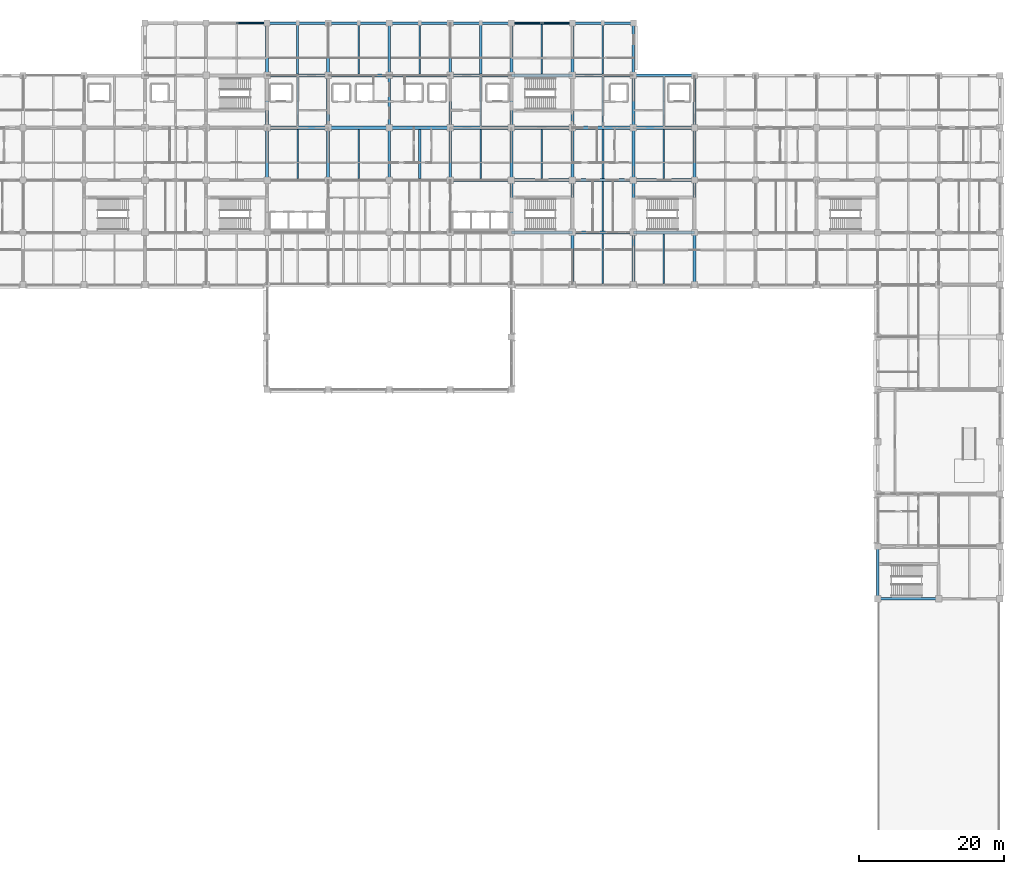
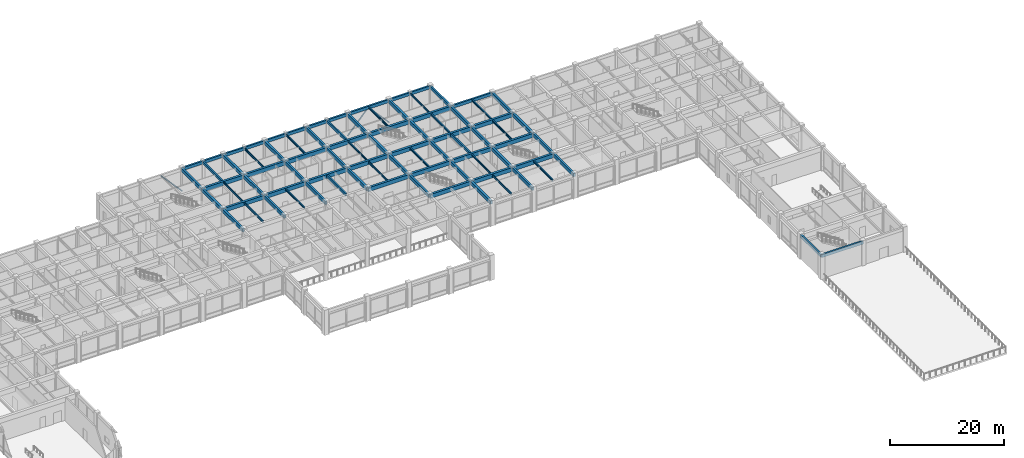
# One storey, part 10 of 51: 79 beams, 3 members.
"""IFC4 building model written with IfcOpenShell, lengths in metres."""

from ifc_helpers import new_model, si_unit, direction, frame, origin, origin_2d, place, context, subcontext, project, spatial, rectangle, hollow_circle, i_section, extrude, material, material_profile, profile_set, type_object, element, save


model = new_model("IFC4")

# Units and contexts
model_context = context("Model", 3, precision=1e-05, world=origin(), true_north=direction((0.0, 1.0)))
body_context = subcontext(model_context, "Body", "Model", "MODEL_VIEW")
ifc_project = project(units=[si_unit("LENGTHUNIT", "METRE"), si_unit("AREAUNIT", "SQUARE_METRE"), si_unit("VOLUMEUNIT", "CUBIC_METRE"), si_unit("PLANEANGLEUNIT", "RADIAN"), si_unit("MASSUNIT", "GRAM", prefix="KILO")], contexts=[model_context])

# Site, building, storey
site_placement = place(None, origin())
site = spatial("IfcSite", under=ifc_project, at=site_placement, CompositionType="ELEMENT")
building_placement = place(site_placement, origin())
building = spatial("IfcBuilding", under=site, at=building_placement, Name="Chengyuan Square Courthouse", CompositionType="ELEMENT")
storey_placement = place(building_placement, frame((0.0, 0.0, 10.800048828125)))
storey = spatial("IfcBuildingStorey", under=building, at=storey_placement, Name="L03", CompositionType="ELEMENT", Elevation=10.800048828125)

# Beams
ifc_material_1 = material(Name="Concrete C40", Category="concrete")
ifc_material_profile_1 = material_profile(ifc_material_1, rectangle(XDim=0.449951171875, YDim=0.85009765625, at=origin_2d()), Name="RC-BM-450x850")
ifc_profile_set_1 = profile_set([ifc_material_profile_1], Name="Concrete C40")
beam_type_1 = type_object("IfcBeamType", Name="BM-01", PredefinedType="USERDEFINED", material=ifc_profile_set_1)
beam_1_placement = place(storey_placement, frame((100.800048828125, 86.39990234375, 4.695068359375), z_axis=(1.0, 0.0, 0.0), x_axis=(0.0, 1.0, 0.0)))
element("IfcBeam", 1, at=beam_1_placement, inside=storey, type_object=beam_type_1, Name="Girder BM-L03-2556", ObjectType="GIRDER", PredefinedType="USERDEFINED", context=body_context, shape_type="SweptSolid", body=[
    extrude(rectangle(XDim=0.449951171875, YDim=0.85009765625, at=origin_2d()), origin(), (0.0, 0.0, 1.0), 8.39990234375),
])
beam_2_placement = place(storey_placement, frame((109.199951171875, 86.39990234375, 4.695068359375), z_axis=(1.0, 0.0, 0.0), x_axis=(0.0, 1.0, 0.0)))
element("IfcBeam", 2, at=beam_2_placement, inside=storey, type_object=beam_type_1, Name="Girder BM-L03-2557", ObjectType="GIRDER", PredefinedType="USERDEFINED", context=body_context, shape_type="SweptSolid", body=[
    extrude(rectangle(XDim=0.449951171875, YDim=0.85009765625, at=origin_2d()), origin(), (0.0, 0.0, 1.0), 8.400146484375),
])
beam_3_placement = place(storey_placement, frame((117.60009765625, 86.39990234375, 4.695068359375), z_axis=(1.0, 0.0, 0.0), x_axis=(0.0, 1.0, 0.0)))
element("IfcBeam", 3, at=beam_3_placement, inside=storey, type_object=beam_type_1, Name="Girder BM-L03-2558", ObjectType="GIRDER", PredefinedType="USERDEFINED", context=body_context, shape_type="SweptSolid", body=[
    extrude(rectangle(XDim=0.449951171875, YDim=0.85009765625, at=origin_2d()), origin(), (0.0, 0.0, 1.0), 8.39990234375),
])
beam_4_placement = place(storey_placement, frame((92.39990234375, 93.60009765625, 4.695068359375), z_axis=(1.0, 0.0, 0.0), x_axis=(0.0, 1.0, 0.0)))
element("IfcBeam", 4, at=beam_4_placement, inside=storey, type_object=beam_type_1, Name="Girder BM-L03-2575", ObjectType="GIRDER", PredefinedType="USERDEFINED", context=body_context, shape_type="SweptSolid", body=[
    extrude(rectangle(XDim=0.449951171875, YDim=0.85009765625, at=origin_2d()), origin(), (0.0, 0.0, 1.0), 8.400146484375),
])
beam_5_placement = place(storey_placement, frame((100.800048828125, 93.60009765625, 4.695068359375), z_axis=(1.0, 0.0, 0.0), x_axis=(0.0, 1.0, 0.0)))
element("IfcBeam", 5, at=beam_5_placement, inside=storey, type_object=beam_type_1, Name="Girder BM-L03-2576", ObjectType="GIRDER", PredefinedType="USERDEFINED", context=body_context, shape_type="SweptSolid", body=[
    extrude(rectangle(XDim=0.449951171875, YDim=0.85009765625, at=origin_2d()), origin(), (0.0, 0.0, 1.0), 8.39990234375),
])
beam_6_placement = place(storey_placement, frame((109.199951171875, 93.60009765625, 4.695068359375), z_axis=(1.0, 0.0, 0.0), x_axis=(0.0, 1.0, 0.0)))
element("IfcBeam", 6, at=beam_6_placement, inside=storey, type_object=beam_type_1, Name="Girder BM-L03-2577", ObjectType="GIRDER", PredefinedType="USERDEFINED", context=body_context, shape_type="SweptSolid", body=[
    extrude(rectangle(XDim=0.449951171875, YDim=0.85009765625, at=origin_2d()), origin(), (0.0, 0.0, 1.0), 8.400146484375),
])
beam_7_placement = place(storey_placement, frame((117.60009765625, 93.60009765625, 4.695068359375), z_axis=(1.0, 0.0, 0.0), x_axis=(0.0, 1.0, 0.0)))
element("IfcBeam", 7, at=beam_7_placement, inside=storey, type_object=beam_type_1, Name="Girder BM-L03-2578", ObjectType="GIRDER", PredefinedType="USERDEFINED", context=body_context, shape_type="SweptSolid", body=[
    extrude(rectangle(XDim=0.449951171875, YDim=0.85009765625, at=origin_2d()), origin(), (0.0, 0.0, 1.0), 8.39990234375),
])
beam_8_placement = place(storey_placement, frame((67.199951171875, 100.800048828125, 4.695068359375), z_axis=(1.0, 0.0, 0.0), x_axis=(0.0, 1.0, 0.0)))
element("IfcBeam", 8, at=beam_8_placement, inside=storey, type_object=beam_type_1, Name="Girder BM-L03-2592", ObjectType="GIRDER", PredefinedType="USERDEFINED", context=body_context, shape_type="SweptSolid", body=[
    extrude(rectangle(XDim=0.449951171875, YDim=0.85009765625, at=origin_2d()), origin(), (0.0, 0.0, 1.0), 8.400146484375),
])
for number, where, z_axis, x_axis, name in (
    (9, (75.60009765625, 100.800048828125, 4.695068359375), (1.0, 0.0, 0.0), (0.0, 1.0, 0.0), "Girder BM-L03-2593"),
    (10, (84.0, 100.800048828125, 4.695068359375), (1.0, 0.0, 0.0), (0.0, 1.0, 0.0), "Girder BM-L03-2594"),
):
    element("IfcBeam", number, at=place(storey_placement, frame(where, z_axis=z_axis, x_axis=x_axis)), inside=storey, type_object=beam_type_1, Name=name, ObjectType="GIRDER", PredefinedType="USERDEFINED", context=body_context, shape_type="SweptSolid", body=[
        extrude(rectangle(XDim=0.449951171875, YDim=0.85009765625, at=origin_2d()), origin(), (0.0, 0.0, 1.0), 8.39990234375),
    ])
beam_9_placement = place(storey_placement, frame((92.39990234375, 100.800048828125, 4.695068359375), z_axis=(1.0, 0.0, 0.0), x_axis=(0.0, 1.0, 0.0)))
element("IfcBeam", 11, at=beam_9_placement, inside=storey, type_object=beam_type_1, Name="Girder BM-L03-2595", ObjectType="GIRDER", PredefinedType="USERDEFINED", context=body_context, shape_type="SweptSolid", body=[
    extrude(rectangle(XDim=0.449951171875, YDim=0.85009765625, at=origin_2d()), origin(), (0.0, 0.0, 1.0), 8.400146484375),
])
beam_10_placement = place(storey_placement, frame((100.800048828125, 100.800048828125, 4.695068359375), z_axis=(1.0, 0.0, 0.0), x_axis=(0.0, 1.0, 0.0)))
element("IfcBeam", 12, at=beam_10_placement, inside=storey, type_object=beam_type_1, Name="Girder BM-L03-2596", ObjectType="GIRDER", PredefinedType="USERDEFINED", context=body_context, shape_type="SweptSolid", body=[
    extrude(rectangle(XDim=0.449951171875, YDim=0.85009765625, at=origin_2d()), origin(), (0.0, 0.0, 1.0), 8.39990234375),
])
beam_11_placement = place(storey_placement, frame((109.199951171875, 100.800048828125, 4.695068359375), z_axis=(1.0, 0.0, 0.0), x_axis=(0.0, 1.0, 0.0)))
element("IfcBeam", 13, at=beam_11_placement, inside=storey, type_object=beam_type_1, Name="Girder BM-L03-2597", ObjectType="GIRDER", PredefinedType="USERDEFINED", context=body_context, shape_type="SweptSolid", body=[
    extrude(rectangle(XDim=0.449951171875, YDim=0.85009765625, at=origin_2d()), origin(), (0.0, 0.0, 1.0), 8.400146484375),
])
beam_12_placement = place(storey_placement, frame((117.60009765625, 100.800048828125, 4.695068359375), z_axis=(1.0, 0.0, 0.0), x_axis=(0.0, 1.0, 0.0)))
element("IfcBeam", 14, at=beam_12_placement, inside=storey, type_object=beam_type_1, Name="Girder BM-L03-2598", ObjectType="GIRDER", PredefinedType="USERDEFINED", context=body_context, shape_type="SweptSolid", body=[
    extrude(rectangle(XDim=0.449951171875, YDim=0.85009765625, at=origin_2d()), origin(), (0.0, 0.0, 1.0), 8.39990234375),
])
beam_13_placement = place(storey_placement, frame((67.199951171875, 108.0, 4.695068359375), z_axis=(1.0, 0.0, 0.0), x_axis=(0.0, 1.0, 0.0)))
element("IfcBeam", 15, at=beam_13_placement, inside=storey, type_object=beam_type_1, Name="Girder BM-L03-2612", ObjectType="GIRDER", PredefinedType="USERDEFINED", context=body_context, shape_type="SweptSolid", body=[
    extrude(rectangle(XDim=0.449951171875, YDim=0.85009765625, at=origin_2d()), origin(), (0.0, 0.0, 1.0), 8.400146484375),
])
for number, where, z_axis, x_axis, name in (
    (16, (75.60009765625, 108.0, 4.695068359375), (1.0, 0.0, 0.0), (0.0, 1.0, 0.0), "Girder BM-L03-2613"),
    (17, (84.0, 108.0, 4.695068359375), (1.0, 0.0, 0.0), (0.0, 1.0, 0.0), "Girder BM-L03-2614"),
):
    element("IfcBeam", number, at=place(storey_placement, frame(where, z_axis=z_axis, x_axis=x_axis)), inside=storey, type_object=beam_type_1, Name=name, ObjectType="GIRDER", PredefinedType="USERDEFINED", context=body_context, shape_type="SweptSolid", body=[
        extrude(rectangle(XDim=0.449951171875, YDim=0.85009765625, at=origin_2d()), origin(), (0.0, 0.0, 1.0), 8.39990234375),
    ])
beam_14_placement = place(storey_placement, frame((92.39990234375, 108.0, 4.695068359375), z_axis=(1.0, 0.0, 0.0), x_axis=(0.0, 1.0, 0.0)))
element("IfcBeam", 18, at=beam_14_placement, inside=storey, type_object=beam_type_1, Name="Girder BM-L03-2615", ObjectType="GIRDER", PredefinedType="USERDEFINED", context=body_context, shape_type="SweptSolid", body=[
    extrude(rectangle(XDim=0.449951171875, YDim=0.85009765625, at=origin_2d()), origin(), (0.0, 0.0, 1.0), 8.400146484375),
])
beam_15_placement = place(storey_placement, frame((100.800048828125, 108.0, 4.695068359375), z_axis=(1.0, 0.0, 0.0), x_axis=(0.0, 1.0, 0.0)))
element("IfcBeam", 19, at=beam_15_placement, inside=storey, type_object=beam_type_1, Name="Girder BM-L03-2616", ObjectType="GIRDER", PredefinedType="USERDEFINED", context=body_context, shape_type="SweptSolid", body=[
    extrude(rectangle(XDim=0.449951171875, YDim=0.85009765625, at=origin_2d()), origin(), (0.0, 0.0, 1.0), 8.39990234375),
])
beam_16_placement = place(storey_placement, frame((109.199951171875, 108.0, 4.695068359375), z_axis=(1.0, 0.0, 0.0), x_axis=(0.0, 1.0, 0.0)))
element("IfcBeam", 20, at=beam_16_placement, inside=storey, type_object=beam_type_1, Name="Girder BM-L03-2617", ObjectType="GIRDER", PredefinedType="USERDEFINED", context=body_context, shape_type="SweptSolid", body=[
    extrude(rectangle(XDim=0.449951171875, YDim=0.85009765625, at=origin_2d()), origin(), (0.0, 0.0, 1.0), 8.400146484375),
])
ifc_material_profile_2 = material_profile(ifc_material_1, rectangle(XDim=0.39990234375, YDim=0.75, at=origin_2d()), Name="RC-BM-400x750")
ifc_profile_set_2 = profile_set([ifc_material_profile_2], Name="Concrete C40")
beam_type_2 = type_object("IfcBeamType", Name="BM-02", PredefinedType="USERDEFINED", material=ifc_profile_set_2)
for number, where, z_axis, x_axis, name in (
    (21, (67.199951171875, 93.60009765625, 4.744873046875), (0.0, 1.0, 0.0), (-1.0, 0.0, 0.0), "Girder BM-L03-2682"),
    (22, (67.199951171875, 100.800048828125, 4.744873046875), (0.0, 1.0, 0.0), (-1.0, 0.0, 0.0), "Girder BM-L03-2683"),
    (23, (67.199951171875, 108.0, 4.744873046875), (0.0, 1.0, 0.0), (-1.0, 0.0, 0.0), "Girder BM-L03-2684"),
    (24, (75.60009765625, 93.60009765625, 4.744873046875), (0.0, 1.0, 0.0), (-1.0, 0.0, 0.0), "Girder BM-L03-2687"),
    (25, (75.60009765625, 100.800048828125, 4.744873046875), (0.0, 1.0, 0.0), (-1.0, 0.0, 0.0), "Girder BM-L03-2688"),
    (26, (75.60009765625, 108.0, 4.744873046875), (0.0, 1.0, 0.0), (-1.0, 0.0, 0.0), "Girder BM-L03-2689"),
    (27, (84.0, 93.60009765625, 4.744873046875), (0.0, 1.0, 0.0), (-1.0, 0.0, 0.0), "Girder BM-L03-2692"),
    (28, (84.0, 100.800048828125, 4.744873046875), (0.0, 1.0, 0.0), (-1.0, 0.0, 0.0), "Girder BM-L03-2693"),
    (29, (84.0, 108.0, 4.744873046875), (0.0, 1.0, 0.0), (-1.0, 0.0, 0.0), "Girder BM-L03-2694"),
    (30, (92.39990234375, 93.60009765625, 4.744873046875), (0.0, 1.0, 0.0), (-1.0, 0.0, 0.0), "Girder BM-L03-2697"),
    (31, (92.39990234375, 100.800048828125, 4.744873046875), (0.0, 1.0, 0.0), (-1.0, 0.0, 0.0), "Girder BM-L03-2698"),
    (32, (92.39990234375, 108.0, 4.744873046875), (0.0, 1.0, 0.0), (-1.0, 0.0, 0.0), "Girder BM-L03-2699"),
):
    element("IfcBeam", number, at=place(storey_placement, frame(where, z_axis=z_axis, x_axis=x_axis)), inside=storey, type_object=beam_type_2, Name=name, ObjectType="GIRDER", PredefinedType="USERDEFINED", context=body_context, shape_type="SweptSolid", body=[
        extrude(rectangle(XDim=0.39990234375, YDim=0.75, at=origin_2d()), origin(), (0.0, 0.0, 1.0), 7.199951171875),
    ])
beam_17_placement = place(storey_placement, frame((100.800048828125, 86.39990234375, 4.744873046875), z_axis=(0.0, 1.0, 0.0), x_axis=(-1.0, 0.0, 0.0)))
element("IfcBeam", 33, at=beam_17_placement, inside=storey, type_object=beam_type_2, Name="Girder BM-L03-2703", ObjectType="GIRDER", PredefinedType="USERDEFINED", context=body_context, shape_type="SweptSolid", body=[
    extrude(rectangle(XDim=0.39990234375, YDim=0.75, at=origin_2d()), origin(), (0.0, 0.0, 1.0), 7.2001953125),
])
for number, where, z_axis, x_axis, name in (
    (34, (100.800048828125, 93.60009765625, 4.744873046875), (0.0, 1.0, 0.0), (-1.0, 0.0, 0.0), "Girder BM-L03-2704"),
    (35, (100.800048828125, 100.800048828125, 4.744873046875), (0.0, 1.0, 0.0), (-1.0, 0.0, 0.0), "Girder BM-L03-2705"),
    (36, (100.800048828125, 108.0, 4.744873046875), (0.0, 1.0, 0.0), (-1.0, 0.0, 0.0), "Girder BM-L03-2706"),
    (37, (109.199951171875, 79.199951171875, 4.744873046875), (0.0, 1.0, 0.0), (-1.0, 0.0, 0.0), "Girder BM-L03-2707"),
):
    element("IfcBeam", number, at=place(storey_placement, frame(where, z_axis=z_axis, x_axis=x_axis)), inside=storey, type_object=beam_type_2, Name=name, ObjectType="GIRDER", PredefinedType="USERDEFINED", context=body_context, shape_type="SweptSolid", body=[
        extrude(rectangle(XDim=0.39990234375, YDim=0.75, at=origin_2d()), origin(), (0.0, 0.0, 1.0), 7.199951171875),
    ])
beam_18_placement = place(storey_placement, frame((109.199951171875, 86.39990234375, 4.744873046875), z_axis=(0.0, 1.0, 0.0), x_axis=(-1.0, 0.0, 0.0)))
element("IfcBeam", 38, at=beam_18_placement, inside=storey, type_object=beam_type_2, Name="Girder BM-L03-2708", ObjectType="GIRDER", PredefinedType="USERDEFINED", context=body_context, shape_type="SweptSolid", body=[
    extrude(rectangle(XDim=0.39990234375, YDim=0.75, at=origin_2d()), origin(), (0.0, 0.0, 1.0), 7.2001953125),
])
for number, where, z_axis, x_axis, name in (
    (39, (109.199951171875, 93.60009765625, 4.744873046875), (0.0, 1.0, 0.0), (-1.0, 0.0, 0.0), "Girder BM-L03-2709"),
    (40, (109.199951171875, 100.800048828125, 4.744873046875), (0.0, 1.0, 0.0), (-1.0, 0.0, 0.0), "Girder BM-L03-2710"),
    (41, (109.199951171875, 108.0, 4.744873046875), (0.0, 1.0, 0.0), (-1.0, 0.0, 0.0), "Girder BM-L03-2711"),
    (42, (117.60009765625, 79.199951171875, 4.744873046875), (0.0, 1.0, 0.0), (-1.0, 0.0, 0.0), "Girder BM-L03-2712"),
):
    element("IfcBeam", number, at=place(storey_placement, frame(where, z_axis=z_axis, x_axis=x_axis)), inside=storey, type_object=beam_type_2, Name=name, ObjectType="GIRDER", PredefinedType="USERDEFINED", context=body_context, shape_type="SweptSolid", body=[
        extrude(rectangle(XDim=0.39990234375, YDim=0.75, at=origin_2d()), origin(), (0.0, 0.0, 1.0), 7.199951171875),
    ])
beam_19_placement = place(storey_placement, frame((117.60009765625, 86.39990234375, 4.744873046875), z_axis=(0.0, 1.0, 0.0), x_axis=(-1.0, 0.0, 0.0)))
element("IfcBeam", 43, at=beam_19_placement, inside=storey, type_object=beam_type_2, Name="Girder BM-L03-2713", ObjectType="GIRDER", PredefinedType="USERDEFINED", context=body_context, shape_type="SweptSolid", body=[
    extrude(rectangle(XDim=0.39990234375, YDim=0.75, at=origin_2d()), origin(), (0.0, 0.0, 1.0), 7.2001953125),
])
for number, where, z_axis, x_axis, name in (
    (44, (117.60009765625, 93.60009765625, 4.744873046875), (0.0, 1.0, 0.0), (-1.0, 0.0, 0.0), "Girder BM-L03-2714"),
    (45, (117.60009765625, 100.800048828125, 4.744873046875), (0.0, 1.0, 0.0), (-1.0, 0.0, 0.0), "Girder BM-L03-2715"),
    (46, (126.0, 79.199951171875, 4.744873046875), (0.0, 1.0, 0.0), (-1.0, 0.0, 0.0), "Girder BM-L03-2717"),
):
    element("IfcBeam", number, at=place(storey_placement, frame(where, z_axis=z_axis, x_axis=x_axis)), inside=storey, type_object=beam_type_2, Name=name, ObjectType="GIRDER", PredefinedType="USERDEFINED", context=body_context, shape_type="SweptSolid", body=[
        extrude(rectangle(XDim=0.39990234375, YDim=0.75, at=origin_2d()), origin(), (0.0, 0.0, 1.0), 7.199951171875),
    ])
beam_20_placement = place(storey_placement, frame((126.0, 86.39990234375, 4.744873046875), z_axis=(0.0, 1.0, 0.0), x_axis=(-1.0, 0.0, 0.0)))
element("IfcBeam", 47, at=beam_20_placement, inside=storey, type_object=beam_type_2, Name="Girder BM-L03-2718", ObjectType="GIRDER", PredefinedType="USERDEFINED", context=body_context, shape_type="SweptSolid", body=[
    extrude(rectangle(XDim=0.39990234375, YDim=0.75, at=origin_2d()), origin(), (0.0, 0.0, 1.0), 7.2001953125),
])
for number, where, z_axis, x_axis, name in (
    (48, (126.0, 93.60009765625, 4.744873046875), (0.0, 1.0, 0.0), (-1.0, 0.0, 0.0), "Girder BM-L03-2719"),
    (49, (126.0, 100.800048828125, 4.744873046875), (0.0, 1.0, 0.0), (-1.0, 0.0, 0.0), "Girder BM-L03-2720"),
):
    element("IfcBeam", number, at=place(storey_placement, frame(where, z_axis=z_axis, x_axis=x_axis)), inside=storey, type_object=beam_type_2, Name=name, ObjectType="GIRDER", PredefinedType="USERDEFINED", context=body_context, shape_type="SweptSolid", body=[
        extrude(rectangle(XDim=0.39990234375, YDim=0.75, at=origin_2d()), origin(), (0.0, 0.0, 1.0), 7.199951171875),
    ])
ifc_material_profile_3 = material_profile(ifc_material_1, rectangle(XDim=0.35009765625, YDim=0.64990234375, at=origin_2d()), Name="RC-BM-350x650")
ifc_profile_set_3 = profile_set([ifc_material_profile_3], Name="Concrete C40")
beam_type_3 = type_object("IfcBeamType", Name="BM-03", PredefinedType="SPANDREL", material=ifc_profile_set_3)
beam_21_placement = place(storey_placement, frame((151.199951171875, 36.0, 4.794921875), z_axis=(1.0, 0.0, 0.0), x_axis=(0.0, 1.0, 0.0)))
element("IfcBeam", 50, at=beam_21_placement, inside=storey, type_object=beam_type_3, Name="Girder BM-L03-2510", PredefinedType="SPANDREL", context=body_context, shape_type="SweptSolid", body=[
    extrude(rectangle(XDim=0.35009765625, YDim=0.64990234375, at=origin_2d()), origin(), (0.0, 0.0, 1.0), 8.400146484375),
])
beam_22_placement = place(storey_placement, frame((117.60009765625, 108.0, 4.794921875), z_axis=(1.0, 0.0, 0.0), x_axis=(0.0, 1.0, 0.0)))
element("IfcBeam", 51, at=beam_22_placement, inside=storey, type_object=beam_type_3, Name="Girder BM-L03-2618", PredefinedType="SPANDREL", context=body_context, shape_type="SweptSolid", body=[
    extrude(rectangle(XDim=0.35009765625, YDim=0.64990234375, at=origin_2d()), origin(), (0.0, 0.0, 1.0), 8.39990234375),
])
beam_23_placement = place(storey_placement, frame((67.199951171875, 115.199951171875, 4.794921875), z_axis=(1.0, 0.0, 0.0), x_axis=(0.0, 1.0, 0.0)))
element("IfcBeam", 52, at=beam_23_placement, inside=storey, type_object=beam_type_3, Name="Girder BM-L03-2626", PredefinedType="SPANDREL", context=body_context, shape_type="SweptSolid", body=[
    extrude(rectangle(XDim=0.35009765625, YDim=0.64990234375, at=origin_2d()), origin(), (0.0, 0.0, 1.0), 8.400146484375),
])
for number, where, z_axis, x_axis, name in (
    (53, (75.60009765625, 115.199951171875, 4.794921875), (1.0, 0.0, 0.0), (0.0, 1.0, 0.0), "Girder BM-L03-2627"),
    (54, (84.0, 115.199951171875, 4.794921875), (1.0, 0.0, 0.0), (0.0, 1.0, 0.0), "Girder BM-L03-2628"),
):
    element("IfcBeam", number, at=place(storey_placement, frame(where, z_axis=z_axis, x_axis=x_axis)), inside=storey, type_object=beam_type_3, Name=name, PredefinedType="SPANDREL", context=body_context, shape_type="SweptSolid", body=[
        extrude(rectangle(XDim=0.35009765625, YDim=0.64990234375, at=origin_2d()), origin(), (0.0, 0.0, 1.0), 8.39990234375),
    ])
beam_24_placement = place(storey_placement, frame((92.39990234375, 115.199951171875, 4.794921875), z_axis=(1.0, 0.0, 0.0), x_axis=(0.0, 1.0, 0.0)))
element("IfcBeam", 55, at=beam_24_placement, inside=storey, type_object=beam_type_3, Name="Girder BM-L03-2629", PredefinedType="SPANDREL", context=body_context, shape_type="SweptSolid", body=[
    extrude(rectangle(XDim=0.35009765625, YDim=0.64990234375, at=origin_2d()), origin(), (0.0, 0.0, 1.0), 8.400146484375),
])
beam_25_placement = place(storey_placement, frame((100.800048828125, 115.199951171875, 4.794921875), z_axis=(1.0, 0.0, 0.0), x_axis=(0.0, 1.0, 0.0)))
element("IfcBeam", 56, at=beam_25_placement, inside=storey, type_object=beam_type_3, Name="Girder BM-L03-2630", PredefinedType="SPANDREL", context=body_context, shape_type="SweptSolid", body=[
    extrude(rectangle(XDim=0.35009765625, YDim=0.64990234375, at=origin_2d()), origin(), (0.0, 0.0, 1.0), 8.39990234375),
])
beam_26_placement = place(storey_placement, frame((109.199951171875, 115.199951171875, 4.794921875), z_axis=(1.0, 0.0, 0.0), x_axis=(0.0, 1.0, 0.0)))
element("IfcBeam", 57, at=beam_26_placement, inside=storey, type_object=beam_type_3, Name="Girder BM-L03-2631", PredefinedType="SPANDREL", context=body_context, shape_type="SweptSolid", body=[
    extrude(rectangle(XDim=0.35009765625, YDim=0.64990234375, at=origin_2d()), origin(), (0.0, 0.0, 1.0), 8.400146484375),
])
for number, where, z_axis, x_axis, name in (
    (58, (117.60009765625, 108.0, 4.794921875), (0.0, 1.0, 0.0), (-1.0, 0.0, 0.0), "Girder BM-L03-2716"),
    (59, (151.199951171875, 36.0, 4.794921875), (0.0, 1.0, 0.0), (-1.0, 0.0, 0.0), "Girder BM-L03-2729"),
):
    element("IfcBeam", number, at=place(storey_placement, frame(where, z_axis=z_axis, x_axis=x_axis)), inside=storey, type_object=beam_type_3, Name=name, PredefinedType="SPANDREL", context=body_context, shape_type="SweptSolid", body=[
        extrude(rectangle(XDim=0.35009765625, YDim=0.64990234375, at=origin_2d()), origin(), (0.0, 0.0, 1.0), 7.199951171875),
    ])
ifc_material_profile_4 = material_profile(ifc_material_1, rectangle(XDim=0.300048828125, YDim=0.550048828125, at=origin_2d()), Name="RC-BM-300x550")
ifc_profile_set_4 = profile_set([ifc_material_profile_4], Name="Concrete C40")
beam_type_4 = type_object("IfcBeamType", Name="BM-04", PredefinedType="BEAM", material=ifc_profile_set_4)
beam_27_placement = place(storey_placement, frame((71.39990234375, 108.22509765625, 4.844970703125), z_axis=(0.0, 1.0, 0.0), x_axis=(-1.0, 0.0, 0.0)))
element("IfcBeam", 60, at=beam_27_placement, inside=storey, type_object=beam_type_4, Name="Secondary Floor Beam SBM-L03-2793", PredefinedType="BEAM", context=body_context, shape_type="SweptSolid", body=[
    extrude(rectangle(XDim=0.300048828125, YDim=0.550048828125, at=origin_2d()), origin(), (0.0, 0.0, 1.0), 6.7998046875),
])
beam_28_placement = place(storey_placement, frame((88.199951171875, 93.824951171875, 4.844970703125), z_axis=(0.0, 1.0, 0.0), x_axis=(-1.0, 0.0, 0.0)))
element("IfcBeam", 61, at=beam_28_placement, inside=storey, type_object=beam_type_4, Name="Secondary Floor Beam SBM-L03-2800", PredefinedType="BEAM", context=body_context, shape_type="SweptSolid", body=[
    extrude(rectangle(XDim=0.300048828125, YDim=0.550048828125, at=origin_2d()), origin(), (0.0, 0.0, 1.0), 6.75),
])
beam_29_placement = place(storey_placement, frame((96.60009765625, 108.22509765625, 4.844970703125), z_axis=(0.0, 1.0, 0.0), x_axis=(-1.0, 0.0, 0.0)))
element("IfcBeam", 62, at=beam_29_placement, inside=storey, type_object=beam_type_4, Name="Secondary Floor Beam SBM-L03-2805", PredefinedType="BEAM", context=body_context, shape_type="SweptSolid", body=[
    extrude(rectangle(XDim=0.300048828125, YDim=0.550048828125, at=origin_2d()), origin(), (0.0, 0.0, 1.0), 6.7998046875),
])
beam_30_placement = place(storey_placement, frame((113.39990234375, 93.824951171875, 4.844970703125), z_axis=(0.0, 1.0, 0.0), x_axis=(-1.0, 0.0, 0.0)))
element("IfcBeam", 63, at=beam_30_placement, inside=storey, type_object=beam_type_4, Name="Secondary Floor Beam SBM-L03-2811", PredefinedType="BEAM", context=body_context, shape_type="SweptSolid", body=[
    extrude(rectangle(XDim=0.300048828125, YDim=0.550048828125, at=origin_2d()), origin(), (0.0, 0.0, 1.0), 6.75),
])
ifc_material_2 = material(Name="Steel Q355B", Category="steel")
ifc_material_profile_5 = material_profile(ifc_material_2, i_section(OverallWidth=0.199951171875, OverallDepth=0.449951171875, WebThickness=0.009033203125, FlangeThickness=0.013916015625, at=origin_2d()), Name="HN 450x200x9x14")
ifc_profile_set_5 = profile_set([ifc_material_profile_5], Name="Steel Q355B")
beam_type_5 = type_object("IfcBeamType", Name="BM-06", PredefinedType="BEAM", material=ifc_profile_set_5)
beam_31_placement = place(storey_placement, frame((71.39990234375, 93.824951171875, 4.89501953125), z_axis=(0.0, 1.0, 0.0), x_axis=(-1.0, 0.0, 0.0)))
element("IfcBeam", 64, at=beam_31_placement, inside=storey, type_object=beam_type_5, Name="Secondary Floor Beam SBM-L03-2791", PredefinedType="BEAM", context=body_context, shape_type="SweptSolid", body=[
    extrude(i_section(OverallWidth=0.199951171875, OverallDepth=0.449951171875, WebThickness=0.009033203125, FlangeThickness=0.013916015625, at=origin_2d()), origin(), (0.0, 0.0, 1.0), 6.75),
])
beam_32_placement = place(storey_placement, frame((79.800048828125, 108.22509765625, 4.89501953125), z_axis=(0.0, 1.0, 0.0), x_axis=(-1.0, 0.0, 0.0)))
element("IfcBeam", 65, at=beam_32_placement, inside=storey, type_object=beam_type_5, Name="Secondary Floor Beam SBM-L03-2797", PredefinedType="BEAM", context=body_context, shape_type="SweptSolid", body=[
    extrude(i_section(OverallWidth=0.199951171875, OverallDepth=0.449951171875, WebThickness=0.009033203125, FlangeThickness=0.013916015625, at=origin_2d()), origin(), (0.0, 0.0, 1.0), 6.7998046875),
])
beam_33_placement = place(storey_placement, frame((96.60009765625, 93.824951171875, 4.89501953125), z_axis=(0.0, 1.0, 0.0), x_axis=(-1.0, 0.0, 0.0)))
element("IfcBeam", 66, at=beam_33_placement, inside=storey, type_object=beam_type_5, Name="Secondary Floor Beam SBM-L03-2803", PredefinedType="BEAM", context=body_context, shape_type="SweptSolid", body=[
    extrude(i_section(OverallWidth=0.199951171875, OverallDepth=0.449951171875, WebThickness=0.009033203125, FlangeThickness=0.013916015625, at=origin_2d()), origin(), (0.0, 0.0, 1.0), 6.75),
])
beam_34_placement = place(storey_placement, frame((105.0, 108.22509765625, 4.89501953125), z_axis=(0.0, 1.0, 0.0), x_axis=(-1.0, 0.0, 0.0)))
element("IfcBeam", 67, at=beam_34_placement, inside=storey, type_object=beam_type_5, Name="Secondary Floor Beam SBM-L03-2808", PredefinedType="BEAM", context=body_context, shape_type="SweptSolid", body=[
    extrude(i_section(OverallWidth=0.199951171875, OverallDepth=0.449951171875, WebThickness=0.009033203125, FlangeThickness=0.013916015625, at=origin_2d()), origin(), (0.0, 0.0, 1.0), 6.7998046875),
])
beam_35_placement = place(storey_placement, frame((113.39990234375, 79.375, 4.89501953125), z_axis=(0.0, 1.0, 0.0), x_axis=(-1.0, 0.0, 0.0)))
element("IfcBeam", 68, at=beam_35_placement, inside=storey, type_object=beam_type_5, Name="Secondary Floor Beam SBM-L03-2809", PredefinedType="BEAM", context=body_context, shape_type="SweptSolid", body=[
    extrude(i_section(OverallWidth=0.199951171875, OverallDepth=0.449951171875, WebThickness=0.009033203125, FlangeThickness=0.013916015625, at=origin_2d()), origin(), (0.0, 0.0, 1.0), 6.800048828125),
])
for number, where, z_axis, x_axis, name in (
    (69, (113.39990234375, 101.02490234375, 4.89501953125), (0.0, 1.0, 0.0), (-1.0, 0.0, 0.0), "Secondary Floor Beam SBM-L03-2812"),
    (70, (121.800048828125, 93.824951171875, 4.89501953125), (0.0, 1.0, 0.0), (-1.0, 0.0, 0.0), "Secondary Floor Beam SBM-L03-2815"),
):
    element("IfcBeam", number, at=place(storey_placement, frame(where, z_axis=z_axis, x_axis=x_axis)), inside=storey, type_object=beam_type_5, Name=name, PredefinedType="BEAM", context=body_context, shape_type="SweptSolid", body=[
        extrude(i_section(OverallWidth=0.199951171875, OverallDepth=0.449951171875, WebThickness=0.009033203125, FlangeThickness=0.013916015625, at=origin_2d()), origin(), (0.0, 0.0, 1.0), 6.75),
    ])
ifc_material_profile_6 = material_profile(ifc_material_2, i_section(OverallWidth=0.199951171875, OverallDepth=0.39990234375, WebThickness=0.008056640625, FlangeThickness=0.012939453125, at=origin_2d()), Name="HN 400x200x8x13")
ifc_profile_set_6 = profile_set([ifc_material_profile_6], Name="Steel Q355B")
beam_type_6 = type_object("IfcBeamType", Name="BM-07", PredefinedType="BEAM", material=ifc_profile_set_6)
for number, where, z_axis, x_axis, name in (
    (71, (71.39990234375, 101.02490234375, 4.919921875), (0.0, 1.0, 0.0), (-1.0, 0.0, 0.0), "Secondary Floor Beam SBM-L03-2792"),
    (72, (79.800048828125, 93.824951171875, 4.919921875), (0.0, 1.0, 0.0), (-1.0, 0.0, 0.0), "Secondary Floor Beam SBM-L03-2796"),
):
    element("IfcBeam", number, at=place(storey_placement, frame(where, z_axis=z_axis, x_axis=x_axis)), inside=storey, type_object=beam_type_6, Name=name, PredefinedType="BEAM", context=body_context, shape_type="SweptSolid", body=[
        extrude(i_section(OverallWidth=0.199951171875, OverallDepth=0.39990234375, WebThickness=0.008056640625, FlangeThickness=0.012939453125, at=origin_2d()), origin(), (0.0, 0.0, 1.0), 6.75),
    ])
beam_36_placement = place(storey_placement, frame((88.199951171875, 108.22509765625, 4.919921875), z_axis=(0.0, 1.0, 0.0), x_axis=(-1.0, 0.0, 0.0)))
element("IfcBeam", 73, at=beam_36_placement, inside=storey, type_object=beam_type_6, Name="Secondary Floor Beam SBM-L03-2801", PredefinedType="BEAM", context=body_context, shape_type="SweptSolid", body=[
    extrude(i_section(OverallWidth=0.199951171875, OverallDepth=0.39990234375, WebThickness=0.008056640625, FlangeThickness=0.012939453125, at=origin_2d()), origin(), (0.0, 0.0, 1.0), 6.7998046875),
])
for number, where, z_axis, x_axis, name in (
    (74, (96.60009765625, 101.02490234375, 4.919921875), (0.0, 1.0, 0.0), (-1.0, 0.0, 0.0), "Secondary Floor Beam SBM-L03-2804"),
    (75, (105.0, 93.824951171875, 4.919921875), (0.0, 1.0, 0.0), (-1.0, 0.0, 0.0), "Secondary Floor Beam SBM-L03-2807"),
    (76, (113.39990234375, 86.625, 4.919921875), (0.0, 1.0, 0.0), (-1.0, 0.0, 0.0), "Secondary Floor Beam SBM-L03-2810"),
):
    element("IfcBeam", number, at=place(storey_placement, frame(where, z_axis=z_axis, x_axis=x_axis)), inside=storey, type_object=beam_type_6, Name=name, PredefinedType="BEAM", context=body_context, shape_type="SweptSolid", body=[
        extrude(i_section(OverallWidth=0.199951171875, OverallDepth=0.39990234375, WebThickness=0.008056640625, FlangeThickness=0.012939453125, at=origin_2d()), origin(), (0.0, 0.0, 1.0), 6.75),
    ])
beam_37_placement = place(storey_placement, frame((113.39990234375, 108.22509765625, 4.919921875), z_axis=(0.0, 1.0, 0.0), x_axis=(-1.0, 0.0, 0.0)))
element("IfcBeam", 77, at=beam_37_placement, inside=storey, type_object=beam_type_6, Name="Secondary Floor Beam SBM-L03-2813", PredefinedType="BEAM", context=body_context, shape_type="SweptSolid", body=[
    extrude(i_section(OverallWidth=0.199951171875, OverallDepth=0.39990234375, WebThickness=0.008056640625, FlangeThickness=0.012939453125, at=origin_2d()), origin(), (0.0, 0.0, 1.0), 6.7998046875),
])
for number, where, z_axis, x_axis, name in (
    (78, (121.800048828125, 79.375, 4.919921875), (0.0, 1.0, 0.0), (-1.0, 0.0, 0.0), "Secondary Floor Beam SBM-L03-2814"),
    (79, (121.800048828125, 101.02490234375, 4.919921875), (0.0, 1.0, 0.0), (-1.0, 0.0, 0.0), "Secondary Floor Beam SBM-L03-2816"),
):
    element("IfcBeam", number, at=place(storey_placement, frame(where, z_axis=z_axis, x_axis=x_axis)), inside=storey, type_object=beam_type_6, Name=name, PredefinedType="BEAM", context=body_context, shape_type="SweptSolid", body=[
        extrude(i_section(OverallWidth=0.199951171875, OverallDepth=0.39990234375, WebThickness=0.008056640625, FlangeThickness=0.012939453125, at=origin_2d()), origin(), (0.0, 0.0, 1.0), 6.800048828125),
    ])

# Members
ifc_material_profile_7 = material_profile(ifc_material_2, hollow_circle(Radius=0.136474609375, WallThickness=0.010009765625, at=origin_2d()), Name="CHS 273x10")
ifc_profile_set_7 = profile_set([ifc_material_profile_7], Name="Steel Q355B")
member_type = type_object("IfcMemberType", Name="BR-01", PredefinedType="BRACE", material=ifc_profile_set_7)
for number, where, z_axis, x_axis, name in (
    (80, (67.199951171875, 115.199951171875, 0.099853515625), (-0.668683358242, 0.0, 0.743547285928), (0.0, -1.0, 0.0), "Steel Chevron Brace BR-L03-010"),
    (81, (100.800048828125, 115.199951171875, 0.099853515625), (0.668683358242, 0.0, 0.743547285928), (0.0, 1.0, 0.0), "Steel Chevron Brace BR-L03-011"),
    (82, (109.199951171875, 115.199951171875, 0.099853515625), (-0.668683358242, 0.0, 0.743547285928), (0.0, -1.0, 0.0), "Steel Chevron Brace BR-L03-012"),
):
    element("IfcMember", number, at=place(storey_placement, frame(where, z_axis=z_axis, x_axis=x_axis)), inside=storey, type_object=member_type, Name=name, PredefinedType="BRACE", context=body_context, shape_type="SweptSolid", body=[
        extrude(hollow_circle(Radius=0.136474609375, WallThickness=0.010009765625, at=origin_2d()), origin(), (0.0, 0.0, 1.0), 6.281005859375),
    ])

save(model, "model.ifc")
